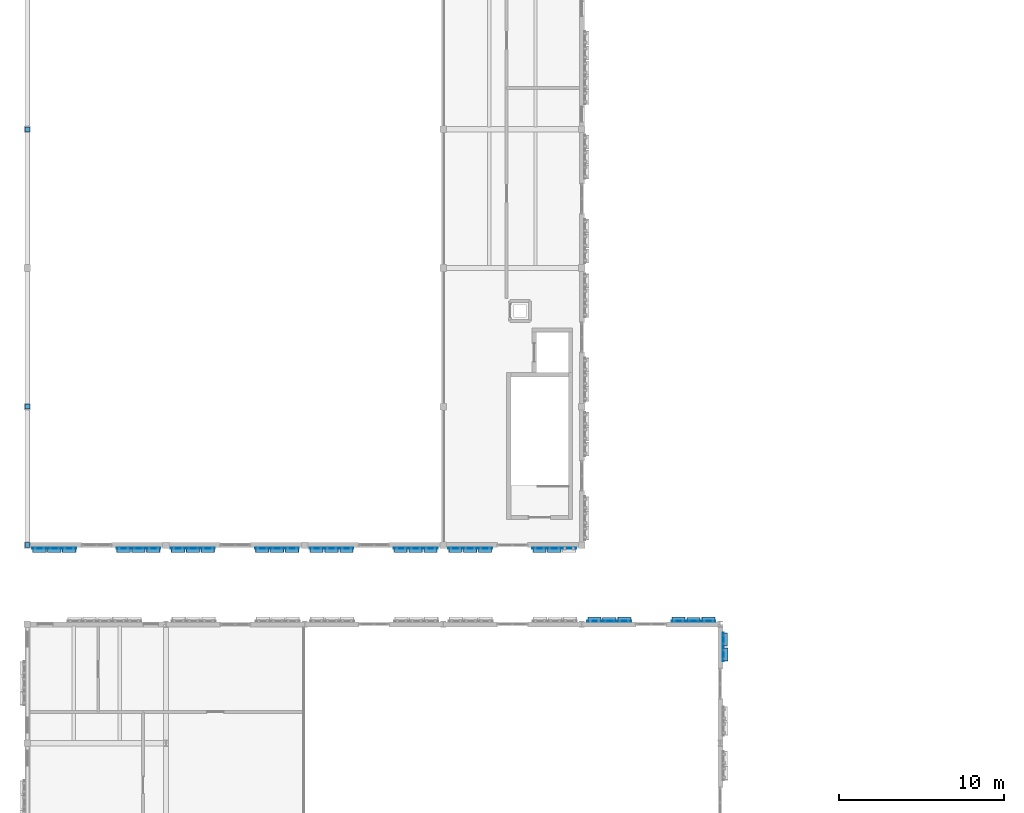
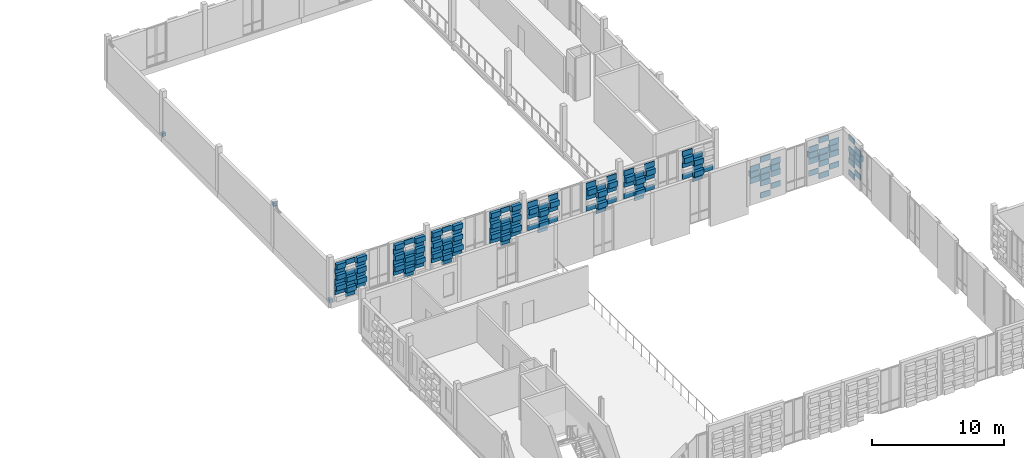
# One storey, part 45 of 81: 158 plates.
"""IFC4 building model written with IfcOpenShell, lengths in metres."""

from ifc_helpers import new_model, si_unit, direction, frame, origin, origin_2d, place, context, subcontext, project, spatial, rectangle, extrude, material, layer, layer_set, type_object, element, save


model = new_model("IFC4")

# Units and contexts
model_context = context("Model", 3, precision=1e-05, world=origin(), true_north=direction((0.0, 1.0)))
body_context = subcontext(model_context, "Body", "Model", "MODEL_VIEW")
ifc_project = project(units=[si_unit("LENGTHUNIT", "METRE"), si_unit("AREAUNIT", "SQUARE_METRE"), si_unit("VOLUMEUNIT", "CUBIC_METRE"), si_unit("PLANEANGLEUNIT", "RADIAN"), si_unit("MASSUNIT", "GRAM", prefix="KILO")], contexts=[model_context])

# Site, building, storey
site_placement = place(None, origin())
site = spatial("IfcSite", under=ifc_project, at=site_placement, CompositionType="ELEMENT")
building_placement = place(site_placement, origin())
building = spatial("IfcBuilding", under=site, at=building_placement, Name="Kahlenmark Community Centre", CompositionType="ELEMENT")
storey_placement = place(building_placement, frame((0.0, 0.0, 9.60009765625)))
storey = spatial("IfcBuildingStorey", under=building, at=storey_placement, Name="L02", CompositionType="ELEMENT", Elevation=9.60009765625)

# Plates
ifc_material_1 = material(Name="Extruded warm terracotta recessed weave tile", Category="masonry")
ifc_layer_1 = layer(ifc_material_1, 0.06005859375)
ifc_layer_set_1 = layer_set([ifc_layer_1], Name="Extruded warm terracotta recessed weave tile")
plate_type_1 = type_object("IfcPlateType", Name="PLT-TC-TC-R10-840X60X450", PredefinedType="SHEET", material=ifc_layer_set_1)
for number, where, z_axis, x_axis, name in (
    (1, (5.6298828125, 42.219970703125, 0.10009765625), (0.0, 0.0, 1.0), (1.0, 0.0, 0.0), "Basketweave terracotta cassette 2324"),
    (2, (5.6298828125, 42.219970703125, 1.080078125), (0.0, 0.0, 1.0), (1.0, 0.0, 0.0), "Basketweave terracotta cassette 2326"),
    (3, (5.6298828125, 42.219970703125, 2.06005859375), (0.0, 0.0, 1.0), (1.0, 0.0, 0.0), "Basketweave terracotta cassette 2328"),
    (4, (5.6298828125, 42.219970703125, 3.0400390625), (0.0, 0.0, 1.0), (1.0, 0.0, 0.0), "Basketweave terracotta cassette 2330"),
    (5, (10.72998046875, 42.219970703125, 0.10009765625), (0.0, 0.0, 1.0), (1.0, 0.0, 0.0), "Basketweave terracotta cassette 2345"),
    (6, (10.72998046875, 42.219970703125, 1.080078125), (0.0, 0.0, 1.0), (1.0, 0.0, 0.0), "Basketweave terracotta cassette 2347"),
    (7, (10.72998046875, 42.219970703125, 2.06005859375), (0.0, 0.0, 1.0), (1.0, 0.0, 0.0), "Basketweave terracotta cassette 2349"),
    (8, (10.72998046875, 42.219970703125, 3.0400390625), (0.0, 0.0, 1.0), (1.0, 0.0, 0.0), "Basketweave terracotta cassette 2351"),
    (9, (14.030029296875, 42.219970703125, 0.10009765625), (0.0, 0.0, 1.0), (1.0, 0.0, 0.0), "Basketweave terracotta cassette 2366"),
    (10, (14.030029296875, 42.219970703125, 1.080078125), (0.0, 0.0, 1.0), (1.0, 0.0, 0.0), "Basketweave terracotta cassette 2368"),
    (11, (14.030029296875, 42.219970703125, 2.06005859375), (0.0, 0.0, 1.0), (1.0, 0.0, 0.0), "Basketweave terracotta cassette 2370"),
    (12, (14.030029296875, 42.219970703125, 3.0400390625), (0.0, 0.0, 1.0), (1.0, 0.0, 0.0), "Basketweave terracotta cassette 2372"),
    (13, (19.1298828125, 42.219970703125, 0.10009765625), (0.0, 0.0, 1.0), (1.0, 0.0, 0.0), "Basketweave terracotta cassette 2387"),
    (14, (19.1298828125, 42.219970703125, 1.080078125), (0.0, 0.0, 1.0), (1.0, 0.0, 0.0), "Basketweave terracotta cassette 2389"),
    (15, (19.1298828125, 42.219970703125, 2.06005859375), (0.0, 0.0, 1.0), (1.0, 0.0, 0.0), "Basketweave terracotta cassette 2391"),
    (16, (19.1298828125, 42.219970703125, 3.0400390625), (0.0, 0.0, 1.0), (1.0, 0.0, 0.0), "Basketweave terracotta cassette 2393"),
):
    element("IfcPlate", number, at=place(storey_placement, frame(where, z_axis=z_axis, x_axis=x_axis)), inside=storey, type_object=plate_type_1, Name=name, PredefinedType="SHEET", context=body_context, shape_type="SweptSolid", body=[
        extrude(rectangle(XDim=0.840087890625, YDim=0.06005859375, at=origin_2d()), origin(), (0.0, 0.0, 1.0), 0.449951171875),
    ])
ifc_layer_2 = layer(ifc_material_1, 0.06005859375)
ifc_layer_set_2 = layer_set([ifc_layer_2], Name="Extruded warm terracotta recessed weave tile")
plate_type_2 = type_object("IfcPlateType", Name="PLT-TC-TC-R10-840X60X485", PredefinedType="SHEET", material=ifc_layer_set_2)
for number, where, z_axis, x_axis, name in (
    (17, (22.429931640625, 42.219970703125, 0.099609375), (0.0, 0.0, 1.0), (1.0, 0.0, 0.0), "Basketweave terracotta cassette 2407"),
    (18, (22.429931640625, 42.219970703125, 1.14990234375), (0.0, 0.0, 1.0), (1.0, 0.0, 0.0), "Basketweave terracotta cassette 2409"),
    (19, (22.429931640625, 42.219970703125, 2.19970703125), (0.0, 0.0, 1.0), (1.0, 0.0, 0.0), "Basketweave terracotta cassette 2411"),
    (20, (27.530029296875, 42.219970703125, 0.099609375), (0.0, 0.0, 1.0), (1.0, 0.0, 0.0), "Basketweave terracotta cassette 2425"),
    (21, (27.530029296875, 42.219970703125, 1.14990234375), (0.0, 0.0, 1.0), (1.0, 0.0, 0.0), "Basketweave terracotta cassette 2427"),
    (22, (27.530029296875, 42.219970703125, 2.19970703125), (0.0, 0.0, 1.0), (1.0, 0.0, 0.0), "Basketweave terracotta cassette 2429"),
    (23, (30.830078125, 42.219970703125, 0.099609375), (0.0, 0.0, 1.0), (1.0, 0.0, 0.0), "Basketweave terracotta cassette 2443"),
    (24, (30.830078125, 42.219970703125, 1.14990234375), (0.0, 0.0, 1.0), (1.0, 0.0, 0.0), "Basketweave terracotta cassette 2445"),
    (25, (30.830078125, 42.219970703125, 2.19970703125), (0.0, 0.0, 1.0), (1.0, 0.0, 0.0), "Basketweave terracotta cassette 2447"),
    (26, (35.929931640625, 42.219970703125, 0.099609375), (0.0, 0.0, 1.0), (1.0, 0.0, 0.0), "Basketweave terracotta cassette 2461"),
    (27, (35.929931640625, 42.219970703125, 1.14990234375), (0.0, 0.0, 1.0), (1.0, 0.0, 0.0), "Basketweave terracotta cassette 2463"),
    (28, (35.929931640625, 42.219970703125, 2.19970703125), (0.0, 0.0, 1.0), (1.0, 0.0, 0.0), "Basketweave terracotta cassette 2465"),
):
    element("IfcPlate", number, at=place(storey_placement, frame(where, z_axis=z_axis, x_axis=x_axis)), inside=storey, type_object=plate_type_2, Name=name, PredefinedType="SHEET", context=body_context, shape_type="SweptSolid", body=[
        extrude(rectangle(XDim=0.840087890625, YDim=0.06005859375, at=origin_2d()), origin(), (0.0, 0.0, 1.0), 0.485107421875),
    ])
ifc_layer_3 = layer(ifc_material_1, 0.06005859375)
ifc_layer_set_3 = layer_set([ifc_layer_3], Name="Extruded warm terracotta recessed weave tile")
plate_type_3 = type_object("IfcPlateType", Name="PLT-TC-TC-R10-840X60X506", PredefinedType="SHEET", material=ifc_layer_set_3)
for number, where, z_axis, x_axis, name in (
    (29, (44.3701171875, 37.780029296875, 0.099609375), (0.0, 0.0, 1.0), (-1.0, 0.0, 0.0), "Basketweave terracotta cassette 2134"),
    (30, (44.3701171875, 37.780029296875, 1.19189453125), (0.0, 0.0, 1.0), (-1.0, 0.0, 0.0), "Basketweave terracotta cassette 2136"),
    (31, (44.3701171875, 37.780029296875, 2.28369140625), (0.0, 0.0, 1.0), (-1.0, 0.0, 0.0), "Basketweave terracotta cassette 2138"),
    (32, (44.3701171875, 37.780029296875, 3.3759765625), (0.0, 0.0, 1.0), (-1.0, 0.0, 0.0), "Basketweave terracotta cassette 2140"),
    (33, (39.27001953125, 37.780029296875, 0.099609375), (0.0, 0.0, 1.0), (-1.0, 0.0, 0.0), "Basketweave terracotta cassette 2155"),
    (34, (39.27001953125, 37.780029296875, 1.19189453125), (0.0, 0.0, 1.0), (-1.0, 0.0, 0.0), "Basketweave terracotta cassette 2157"),
    (35, (39.27001953125, 37.780029296875, 2.28369140625), (0.0, 0.0, 1.0), (-1.0, 0.0, 0.0), "Basketweave terracotta cassette 2159"),
    (36, (39.27001953125, 37.780029296875, 3.3759765625), (0.0, 0.0, 1.0), (-1.0, 0.0, 0.0), "Basketweave terracotta cassette 2161"),
    (37, (46.179931640625, 36.679931640625, 0.099609375), (0.0, 0.0, 1.0), (0.0, 1.0, 0.0), "Basketweave terracotta cassette 2310"),
    (38, (46.179931640625, 36.679931640625, 1.19189453125), (0.0, 0.0, 1.0), (0.0, 1.0, 0.0), "Basketweave terracotta cassette 2312"),
    (39, (46.179931640625, 36.679931640625, 2.28369140625), (0.0, 0.0, 1.0), (0.0, 1.0, 0.0), "Basketweave terracotta cassette 2314"),
    (40, (46.179931640625, 36.679931640625, 3.3759765625), (0.0, 0.0, 1.0), (0.0, 1.0, 0.0), "Basketweave terracotta cassette 2316"),
):
    element("IfcPlate", number, at=place(storey_placement, frame(where, z_axis=z_axis, x_axis=x_axis)), inside=storey, type_object=plate_type_3, Name=name, PredefinedType="SHEET", context=body_context, shape_type="SweptSolid", body=[
        extrude(rectangle(XDim=0.840087890625, YDim=0.06005859375, at=origin_2d()), origin(), (0.0, 0.0, 1.0), 0.506103515625),
    ])
ifc_layer_4 = layer(ifc_material_1, 0.06005859375)
ifc_layer_set_4 = layer_set([ifc_layer_4], Name="Extruded warm terracotta recessed weave tile")
plate_type_4 = type_object("IfcPlateType", Name="PLT-TC-TC-R10-860X60X450", PredefinedType="SHEET", material=ifc_layer_set_4)
for number, where, z_axis, x_axis, name in (
    (41, (4.72998046875, 42.219970703125, 0.58984375), (0.0, 0.0, 1.0), (1.0, 0.0, 0.0), "Basketweave terracotta cassette 2318"),
    (42, (4.72998046875, 42.219970703125, 1.56982421875), (0.0, 0.0, 1.0), (1.0, 0.0, 0.0), "Basketweave terracotta cassette 2320"),
    (43, (4.72998046875, 42.219970703125, 2.5498046875), (0.0, 0.0, 1.0), (1.0, 0.0, 0.0), "Basketweave terracotta cassette 2322"),
    (44, (6.530029296875, 42.219970703125, 0.58984375), (0.0, 0.0, 1.0), (1.0, 0.0, 0.0), "Basketweave terracotta cassette 2332"),
    (45, (6.530029296875, 42.219970703125, 1.56982421875), (0.0, 0.0, 1.0), (1.0, 0.0, 0.0), "Basketweave terracotta cassette 2334"),
    (46, (6.530029296875, 42.219970703125, 2.5498046875), (0.0, 0.0, 1.0), (1.0, 0.0, 0.0), "Basketweave terracotta cassette 2336"),
    (47, (9.830078125, 42.219970703125, 0.58984375), (0.0, 0.0, 1.0), (1.0, 0.0, 0.0), "Basketweave terracotta cassette 2339"),
    (48, (9.830078125, 42.219970703125, 1.56982421875), (0.0, 0.0, 1.0), (1.0, 0.0, 0.0), "Basketweave terracotta cassette 2341"),
    (49, (9.830078125, 42.219970703125, 2.5498046875), (0.0, 0.0, 1.0), (1.0, 0.0, 0.0), "Basketweave terracotta cassette 2343"),
    (50, (11.6298828125, 42.219970703125, 0.58984375), (0.0, 0.0, 1.0), (1.0, 0.0, 0.0), "Basketweave terracotta cassette 2353"),
    (51, (11.6298828125, 42.219970703125, 1.56982421875), (0.0, 0.0, 1.0), (1.0, 0.0, 0.0), "Basketweave terracotta cassette 2355"),
    (52, (11.6298828125, 42.219970703125, 2.5498046875), (0.0, 0.0, 1.0), (1.0, 0.0, 0.0), "Basketweave terracotta cassette 2357"),
    (53, (13.1298828125, 42.219970703125, 0.58984375), (0.0, 0.0, 1.0), (1.0, 0.0, 0.0), "Basketweave terracotta cassette 2360"),
    (54, (13.1298828125, 42.219970703125, 1.56982421875), (0.0, 0.0, 1.0), (1.0, 0.0, 0.0), "Basketweave terracotta cassette 2362"),
    (55, (13.1298828125, 42.219970703125, 2.5498046875), (0.0, 0.0, 1.0), (1.0, 0.0, 0.0), "Basketweave terracotta cassette 2364"),
    (56, (14.929931640625, 42.219970703125, 0.58984375), (0.0, 0.0, 1.0), (1.0, 0.0, 0.0), "Basketweave terracotta cassette 2374"),
    (57, (14.929931640625, 42.219970703125, 1.56982421875), (0.0, 0.0, 1.0), (1.0, 0.0, 0.0), "Basketweave terracotta cassette 2376"),
    (58, (14.929931640625, 42.219970703125, 2.5498046875), (0.0, 0.0, 1.0), (1.0, 0.0, 0.0), "Basketweave terracotta cassette 2378"),
    (59, (18.22998046875, 42.219970703125, 0.58984375), (0.0, 0.0, 1.0), (1.0, 0.0, 0.0), "Basketweave terracotta cassette 2381"),
    (60, (18.22998046875, 42.219970703125, 1.56982421875), (0.0, 0.0, 1.0), (1.0, 0.0, 0.0), "Basketweave terracotta cassette 2383"),
    (61, (18.22998046875, 42.219970703125, 2.5498046875), (0.0, 0.0, 1.0), (1.0, 0.0, 0.0), "Basketweave terracotta cassette 2385"),
    (62, (20.030029296875, 42.219970703125, 0.58984375), (0.0, 0.0, 1.0), (1.0, 0.0, 0.0), "Basketweave terracotta cassette 2395"),
    (63, (20.030029296875, 42.219970703125, 1.56982421875), (0.0, 0.0, 1.0), (1.0, 0.0, 0.0), "Basketweave terracotta cassette 2397"),
    (64, (20.030029296875, 42.219970703125, 2.5498046875), (0.0, 0.0, 1.0), (1.0, 0.0, 0.0), "Basketweave terracotta cassette 2399"),
):
    element("IfcPlate", number, at=place(storey_placement, frame(where, z_axis=z_axis, x_axis=x_axis)), inside=storey, type_object=plate_type_4, Name=name, PredefinedType="SHEET", context=body_context, shape_type="SweptSolid", body=[
        extrude(rectangle(XDim=0.860107421875, YDim=0.06005859375, at=origin_2d()), origin(), (0.0, 0.0, 1.0), 0.449951171875),
    ])
ifc_layer_5 = layer(ifc_material_1, 0.06005859375)
ifc_layer_set_5 = layer_set([ifc_layer_5], Name="Extruded warm terracotta recessed weave tile")
plate_type_5 = type_object("IfcPlateType", Name="PLT-TC-TC-R10-860X60X485", PredefinedType="SHEET", material=ifc_layer_set_5)
for number, where, z_axis, x_axis, name in (
    (65, (21.530029296875, 42.219970703125, 0.625), (0.0, 0.0, 1.0), (1.0, 0.0, 0.0), "Basketweave terracotta cassette 2402"),
    (66, (21.530029296875, 42.219970703125, 1.6748046875), (0.0, 0.0, 1.0), (1.0, 0.0, 0.0), "Basketweave terracotta cassette 2404"),
    (67, (21.530029296875, 42.219970703125, 2.724609375), (0.0, 0.0, 1.0), (1.0, 0.0, 0.0), "Basketweave terracotta cassette 2406"),
    (68, (23.330078125, 42.219970703125, 0.625), (0.0, 0.0, 1.0), (1.0, 0.0, 0.0), "Basketweave terracotta cassette 2414"),
    (69, (23.330078125, 42.219970703125, 1.6748046875), (0.0, 0.0, 1.0), (1.0, 0.0, 0.0), "Basketweave terracotta cassette 2416"),
    (70, (23.330078125, 42.219970703125, 2.724609375), (0.0, 0.0, 1.0), (1.0, 0.0, 0.0), "Basketweave terracotta cassette 2418"),
    (71, (26.6298828125, 42.219970703125, 0.625), (0.0, 0.0, 1.0), (1.0, 0.0, 0.0), "Basketweave terracotta cassette 2420"),
    (72, (26.6298828125, 42.219970703125, 1.6748046875), (0.0, 0.0, 1.0), (1.0, 0.0, 0.0), "Basketweave terracotta cassette 2422"),
    (73, (26.6298828125, 42.219970703125, 2.724609375), (0.0, 0.0, 1.0), (1.0, 0.0, 0.0), "Basketweave terracotta cassette 2424"),
    (74, (28.429931640625, 42.219970703125, 0.625), (0.0, 0.0, 1.0), (1.0, 0.0, 0.0), "Basketweave terracotta cassette 2432"),
    (75, (28.429931640625, 42.219970703125, 1.6748046875), (0.0, 0.0, 1.0), (1.0, 0.0, 0.0), "Basketweave terracotta cassette 2434"),
    (76, (28.429931640625, 42.219970703125, 2.724609375), (0.0, 0.0, 1.0), (1.0, 0.0, 0.0), "Basketweave terracotta cassette 2436"),
    (77, (29.929931640625, 42.219970703125, 0.625), (0.0, 0.0, 1.0), (1.0, 0.0, 0.0), "Basketweave terracotta cassette 2438"),
    (78, (29.929931640625, 42.219970703125, 1.6748046875), (0.0, 0.0, 1.0), (1.0, 0.0, 0.0), "Basketweave terracotta cassette 2440"),
    (79, (29.929931640625, 42.219970703125, 2.724609375), (0.0, 0.0, 1.0), (1.0, 0.0, 0.0), "Basketweave terracotta cassette 2442"),
    (80, (31.72998046875, 42.219970703125, 0.625), (0.0, 0.0, 1.0), (1.0, 0.0, 0.0), "Basketweave terracotta cassette 2450"),
    (81, (31.72998046875, 42.219970703125, 1.6748046875), (0.0, 0.0, 1.0), (1.0, 0.0, 0.0), "Basketweave terracotta cassette 2452"),
    (82, (31.72998046875, 42.219970703125, 2.724609375), (0.0, 0.0, 1.0), (1.0, 0.0, 0.0), "Basketweave terracotta cassette 2454"),
    (83, (35.030029296875, 42.219970703125, 0.625), (0.0, 0.0, 1.0), (1.0, 0.0, 0.0), "Basketweave terracotta cassette 2456"),
    (84, (35.030029296875, 42.219970703125, 1.6748046875), (0.0, 0.0, 1.0), (1.0, 0.0, 0.0), "Basketweave terracotta cassette 2458"),
    (85, (35.030029296875, 42.219970703125, 2.724609375), (0.0, 0.0, 1.0), (1.0, 0.0, 0.0), "Basketweave terracotta cassette 2460"),
    (86, (36.830078125, 42.219970703125, 0.625), (0.0, 0.0, 1.0), (1.0, 0.0, 0.0), "Basketweave terracotta cassette 2468"),
):
    element("IfcPlate", number, at=place(storey_placement, frame(where, z_axis=z_axis, x_axis=x_axis)), inside=storey, type_object=plate_type_5, Name=name, PredefinedType="SHEET", context=body_context, shape_type="SweptSolid", body=[
        extrude(rectangle(XDim=0.860107421875, YDim=0.06005859375, at=origin_2d()), origin(), (0.0, 0.0, 1.0), 0.485107421875),
    ])
ifc_layer_6 = layer(ifc_material_1, 0.06005859375)
ifc_layer_set_6 = layer_set([ifc_layer_6], Name="Extruded warm terracotta recessed weave tile")
plate_type_6 = type_object("IfcPlateType", Name="PLT-TC-TC-R10-860X60X506", PredefinedType="SHEET", material=ifc_layer_set_6)
for number, where, z_axis, x_axis, name in (
    (87, (45.27001953125, 37.780029296875, 0.64599609375), (0.0, 0.0, 1.0), (-1.0, 0.0, 0.0), "Basketweave terracotta cassette 2128"),
    (88, (45.27001953125, 37.780029296875, 1.73779296875), (0.0, 0.0, 1.0), (-1.0, 0.0, 0.0), "Basketweave terracotta cassette 2130"),
    (89, (45.27001953125, 37.780029296875, 2.830078125), (0.0, 0.0, 1.0), (-1.0, 0.0, 0.0), "Basketweave terracotta cassette 2132"),
    (90, (43.469970703125, 37.780029296875, 0.64599609375), (0.0, 0.0, 1.0), (-1.0, 0.0, 0.0), "Basketweave terracotta cassette 2142"),
    (91, (43.469970703125, 37.780029296875, 1.73779296875), (0.0, 0.0, 1.0), (-1.0, 0.0, 0.0), "Basketweave terracotta cassette 2144"),
    (92, (43.469970703125, 37.780029296875, 2.830078125), (0.0, 0.0, 1.0), (-1.0, 0.0, 0.0), "Basketweave terracotta cassette 2146"),
    (93, (40.169921875, 37.780029296875, 0.64599609375), (0.0, 0.0, 1.0), (-1.0, 0.0, 0.0), "Basketweave terracotta cassette 2149"),
    (94, (40.169921875, 37.780029296875, 1.73779296875), (0.0, 0.0, 1.0), (-1.0, 0.0, 0.0), "Basketweave terracotta cassette 2151"),
    (95, (40.169921875, 37.780029296875, 2.830078125), (0.0, 0.0, 1.0), (-1.0, 0.0, 0.0), "Basketweave terracotta cassette 2153"),
    (96, (38.3701171875, 37.780029296875, 1.73779296875), (0.0, 0.0, 1.0), (-1.0, 0.0, 0.0), "Basketweave terracotta cassette 2165"),
    (97, (38.3701171875, 37.780029296875, 2.830078125), (0.0, 0.0, 1.0), (-1.0, 0.0, 0.0), "Basketweave terracotta cassette 2167"),
    (98, (46.179931640625, 35.780029296875, 0.64599609375), (0.0, 0.0, 1.0), (0.0, 1.0, 0.0), "Basketweave terracotta cassette 2304"),
    (99, (46.179931640625, 35.780029296875, 1.73779296875), (0.0, 0.0, 1.0), (0.0, 1.0, 0.0), "Basketweave terracotta cassette 2306"),
    (100, (46.179931640625, 35.780029296875, 2.830078125), (0.0, 0.0, 1.0), (0.0, 1.0, 0.0), "Basketweave terracotta cassette 2308"),
):
    element("IfcPlate", number, at=place(storey_placement, frame(where, z_axis=z_axis, x_axis=x_axis)), inside=storey, type_object=plate_type_6, Name=name, PredefinedType="SHEET", context=body_context, shape_type="SweptSolid", body=[
        extrude(rectangle(XDim=0.860107421875, YDim=0.06005859375, at=origin_2d()), origin(), (0.0, 0.0, 1.0), 0.506103515625),
    ])
ifc_material_2 = material(Name="Extruded glazed terracotta weave cassette", Category="masonry")
ifc_layer_7 = layer(ifc_material_2, 0.300048828125)
ifc_layer_set_7 = layer_set([ifc_layer_7], Name="Extruded glazed terracotta weave cassette")
plate_type_7 = type_object("IfcPlateType", Name="PLT-TC-TC-R34-780X300X450", PredefinedType="SHEET", material=ifc_layer_set_7)
for number, where, z_axis, x_axis, name in (
    (101, (4.72998046875, 42.10009765625, 2.06005859375), (0.0, 0.0, 1.0), (1.0, 0.0, 0.0), "Basketweave terracotta cassette 2321"),
    (102, (6.530029296875, 42.10009765625, 2.06005859375), (0.0, 0.0, 1.0), (1.0, 0.0, 0.0), "Basketweave terracotta cassette 2335"),
    (103, (9.830078125, 42.10009765625, 2.06005859375), (0.0, 0.0, 1.0), (1.0, 0.0, 0.0), "Basketweave terracotta cassette 2342"),
    (104, (11.6298828125, 42.10009765625, 2.06005859375), (0.0, 0.0, 1.0), (1.0, 0.0, 0.0), "Basketweave terracotta cassette 2356"),
    (105, (13.1298828125, 42.10009765625, 2.06005859375), (0.0, 0.0, 1.0), (1.0, 0.0, 0.0), "Basketweave terracotta cassette 2363"),
    (106, (14.929931640625, 42.10009765625, 2.06005859375), (0.0, 0.0, 1.0), (1.0, 0.0, 0.0), "Basketweave terracotta cassette 2377"),
    (107, (18.22998046875, 42.10009765625, 2.06005859375), (0.0, 0.0, 1.0), (1.0, 0.0, 0.0), "Basketweave terracotta cassette 2384"),
    (108, (20.030029296875, 42.10009765625, 2.06005859375), (0.0, 0.0, 1.0), (1.0, 0.0, 0.0), "Basketweave terracotta cassette 2398"),
):
    element("IfcPlate", number, at=place(storey_placement, frame(where, z_axis=z_axis, x_axis=x_axis)), inside=storey, type_object=plate_type_7, Name=name, PredefinedType="SHEET", context=body_context, shape_type="SweptSolid", body=[
        extrude(rectangle(XDim=0.780029296875, YDim=0.300048828125, at=origin_2d()), origin(), (0.0, 0.0, 1.0), 0.449951171875),
    ])
ifc_layer_8 = layer(ifc_material_2, 0.300048828125)
ifc_layer_set_8 = layer_set([ifc_layer_8], Name="Extruded glazed terracotta weave cassette")
plate_type_8 = type_object("IfcPlateType", Name="PLT-TC-TC-R34-780X300X485", PredefinedType="SHEET", material=ifc_layer_set_8)
for number, where, z_axis, x_axis, name in (
    (109, (21.530029296875, 42.10009765625, 2.19970703125), (0.0, 0.0, 1.0), (1.0, 0.0, 0.0), "Basketweave terracotta cassette 2405"),
    (110, (23.330078125, 42.10009765625, 2.19970703125), (0.0, 0.0, 1.0), (1.0, 0.0, 0.0), "Basketweave terracotta cassette 2417"),
    (111, (26.6298828125, 42.10009765625, 2.19970703125), (0.0, 0.0, 1.0), (1.0, 0.0, 0.0), "Basketweave terracotta cassette 2423"),
    (112, (28.429931640625, 42.10009765625, 2.19970703125), (0.0, 0.0, 1.0), (1.0, 0.0, 0.0), "Basketweave terracotta cassette 2435"),
    (113, (29.929931640625, 42.10009765625, 2.19970703125), (0.0, 0.0, 1.0), (1.0, 0.0, 0.0), "Basketweave terracotta cassette 2441"),
    (114, (31.72998046875, 42.10009765625, 2.19970703125), (0.0, 0.0, 1.0), (1.0, 0.0, 0.0), "Basketweave terracotta cassette 2453"),
    (115, (35.030029296875, 42.10009765625, 2.19970703125), (0.0, 0.0, 1.0), (1.0, 0.0, 0.0), "Basketweave terracotta cassette 2459"),
):
    element("IfcPlate", number, at=place(storey_placement, frame(where, z_axis=z_axis, x_axis=x_axis)), inside=storey, type_object=plate_type_8, Name=name, PredefinedType="SHEET", context=body_context, shape_type="SweptSolid", body=[
        extrude(rectangle(XDim=0.780029296875, YDim=0.300048828125, at=origin_2d()), origin(), (0.0, 0.0, 1.0), 0.485107421875),
    ])
ifc_layer_9 = layer(ifc_material_2, 0.300048828125)
ifc_layer_set_9 = layer_set([ifc_layer_9], Name="Extruded glazed terracotta weave cassette")
plate_type_9 = type_object("IfcPlateType", Name="PLT-TC-TC-R34-780X300X506", PredefinedType="SHEET", material=ifc_layer_set_9)
for number, where, z_axis, x_axis, name in (
    (116, (45.27001953125, 37.89990234375, 2.28369140625), (0.0, 0.0, 1.0), (-1.0, 0.0, 0.0), "Basketweave terracotta cassette 2131"),
    (117, (43.469970703125, 37.89990234375, 2.28369140625), (0.0, 0.0, 1.0), (-1.0, 0.0, 0.0), "Basketweave terracotta cassette 2145"),
    (118, (40.169921875, 37.89990234375, 2.28369140625), (0.0, 0.0, 1.0), (-1.0, 0.0, 0.0), "Basketweave terracotta cassette 2152"),
    (119, (38.3701171875, 37.89990234375, 2.28369140625), (0.0, 0.0, 1.0), (-1.0, 0.0, 0.0), "Basketweave terracotta cassette 2166"),
    (120, (46.300048828125, 35.780029296875, 2.28369140625), (0.0, 0.0, 1.0), (0.0, 1.0, 0.0), "Basketweave terracotta cassette 2307"),
):
    element("IfcPlate", number, at=place(storey_placement, frame(where, z_axis=z_axis, x_axis=x_axis)), inside=storey, type_object=plate_type_9, Name=name, PredefinedType="SHEET", context=body_context, shape_type="SweptSolid", body=[
        extrude(rectangle(XDim=0.780029296875, YDim=0.300048828125, at=origin_2d()), origin(), (0.0, 0.0, 1.0), 0.506103515625),
    ])
ifc_layer_10 = layer(ifc_material_2, 0.300048828125)
ifc_layer_set_10 = layer_set([ifc_layer_10], Name="Extruded glazed terracotta weave cassette")
plate_type_10 = type_object("IfcPlateType", Name="PLT-TC-TC-R34-820X300X450", PredefinedType="SHEET", material=ifc_layer_set_10)
for number, where, z_axis, x_axis, name in (
    (121, (4.72998046875, 42.10009765625, 3.0400390625), (0.0, 0.0, 1.0), (1.0, 0.0, 0.0), "Basketweave terracotta cassette 2323"),
    (122, (6.530029296875, 42.10009765625, 3.0400390625), (0.0, 0.0, 1.0), (1.0, 0.0, 0.0), "Basketweave terracotta cassette 2337"),
    (123, (9.830078125, 42.10009765625, 3.0400390625), (0.0, 0.0, 1.0), (1.0, 0.0, 0.0), "Basketweave terracotta cassette 2344"),
    (124, (11.6298828125, 42.10009765625, 3.0400390625), (0.0, 0.0, 1.0), (1.0, 0.0, 0.0), "Basketweave terracotta cassette 2358"),
    (125, (13.1298828125, 42.10009765625, 3.0400390625), (0.0, 0.0, 1.0), (1.0, 0.0, 0.0), "Basketweave terracotta cassette 2365"),
    (126, (14.929931640625, 42.10009765625, 3.0400390625), (0.0, 0.0, 1.0), (1.0, 0.0, 0.0), "Basketweave terracotta cassette 2379"),
    (127, (18.22998046875, 42.10009765625, 3.0400390625), (0.0, 0.0, 1.0), (1.0, 0.0, 0.0), "Basketweave terracotta cassette 2386"),
    (128, (20.030029296875, 42.10009765625, 3.0400390625), (0.0, 0.0, 1.0), (1.0, 0.0, 0.0), "Basketweave terracotta cassette 2400"),
):
    element("IfcPlate", number, at=place(storey_placement, frame(where, z_axis=z_axis, x_axis=x_axis)), inside=storey, type_object=plate_type_10, Name=name, PredefinedType="SHEET", context=body_context, shape_type="SweptSolid", body=[
        extrude(rectangle(XDim=0.820068359375, YDim=0.300048828125, at=origin_2d()), origin(), (0.0, 0.0, 1.0), 0.449951171875),
    ])
ifc_layer_11 = layer(ifc_material_2, 0.300048828125)
ifc_layer_set_11 = layer_set([ifc_layer_11], Name="Extruded glazed terracotta weave cassette")
plate_type_11 = type_object("IfcPlateType", Name="PLT-TC-TC-R34-840X300X450", PredefinedType="SHEET", material=ifc_layer_set_11)
for number, where, z_axis, x_axis, name in (
    (129, (4.72998046875, 42.10009765625, 1.080078125), (0.0, 0.0, 1.0), (1.0, 0.0, 0.0), "Basketweave terracotta cassette 2319"),
    (130, (6.530029296875, 42.10009765625, 1.080078125), (0.0, 0.0, 1.0), (1.0, 0.0, 0.0), "Basketweave terracotta cassette 2333"),
    (131, (9.830078125, 42.10009765625, 1.080078125), (0.0, 0.0, 1.0), (1.0, 0.0, 0.0), "Basketweave terracotta cassette 2340"),
    (132, (11.6298828125, 42.10009765625, 1.080078125), (0.0, 0.0, 1.0), (1.0, 0.0, 0.0), "Basketweave terracotta cassette 2354"),
    (133, (13.1298828125, 42.10009765625, 1.080078125), (0.0, 0.0, 1.0), (1.0, 0.0, 0.0), "Basketweave terracotta cassette 2361"),
    (134, (14.929931640625, 42.10009765625, 1.080078125), (0.0, 0.0, 1.0), (1.0, 0.0, 0.0), "Basketweave terracotta cassette 2375"),
    (135, (18.22998046875, 42.10009765625, 1.080078125), (0.0, 0.0, 1.0), (1.0, 0.0, 0.0), "Basketweave terracotta cassette 2382"),
    (136, (20.030029296875, 42.10009765625, 1.080078125), (0.0, 0.0, 1.0), (1.0, 0.0, 0.0), "Basketweave terracotta cassette 2396"),
):
    element("IfcPlate", number, at=place(storey_placement, frame(where, z_axis=z_axis, x_axis=x_axis)), inside=storey, type_object=plate_type_11, Name=name, PredefinedType="SHEET", context=body_context, shape_type="SweptSolid", body=[
        extrude(rectangle(XDim=0.840087890625, YDim=0.300048828125, at=origin_2d()), origin(), (0.0, 0.0, 1.0), 0.449951171875),
    ])
ifc_layer_12 = layer(ifc_material_2, 0.280029296875)
ifc_layer_set_12 = layer_set([ifc_layer_12], Name="Extruded glazed terracotta weave cassette")
plate_type_12 = type_object("IfcPlateType", Name="PLT-TC-TC-W30-800X280X450", PredefinedType="SHEET", material=ifc_layer_set_12)
for number, where, z_axis, x_axis, name in (
    (137, (5.6298828125, 42.110107421875, 1.56982421875), (0.0, 0.0, 1.0), (1.0, 0.0, 0.0), "Basketweave terracotta cassette 2327"),
    (138, (10.72998046875, 42.110107421875, 1.56982421875), (0.0, 0.0, 1.0), (1.0, 0.0, 0.0), "Basketweave terracotta cassette 2348"),
    (139, (14.030029296875, 42.110107421875, 1.56982421875), (0.0, 0.0, 1.0), (1.0, 0.0, 0.0), "Basketweave terracotta cassette 2369"),
    (140, (19.1298828125, 42.110107421875, 1.56982421875), (0.0, 0.0, 1.0), (1.0, 0.0, 0.0), "Basketweave terracotta cassette 2390"),
):
    element("IfcPlate", number, at=place(storey_placement, frame(where, z_axis=z_axis, x_axis=x_axis)), inside=storey, type_object=plate_type_12, Name=name, PredefinedType="SHEET", context=body_context, shape_type="SweptSolid", body=[
        extrude(rectangle(XDim=0.800048828125, YDim=0.280029296875, at=origin_2d()), origin(), (0.0, 0.0, 1.0), 0.449951171875),
    ])
ifc_layer_13 = layer(ifc_material_2, 0.280029296875)
ifc_layer_set_13 = layer_set([ifc_layer_13], Name="Extruded glazed terracotta weave cassette")
plate_type_13 = type_object("IfcPlateType", Name="PLT-TC-TC-W30-800X280X485", PredefinedType="SHEET", material=ifc_layer_set_13)
for number, where, z_axis, x_axis, name in (
    (141, (22.429931640625, 42.110107421875, 1.6748046875), (0.0, 0.0, 1.0), (1.0, 0.0, 0.0), "Basketweave terracotta cassette 2410"),
    (142, (27.530029296875, 42.110107421875, 1.6748046875), (0.0, 0.0, 1.0), (1.0, 0.0, 0.0), "Basketweave terracotta cassette 2428"),
    (143, (30.830078125, 42.110107421875, 1.6748046875), (0.0, 0.0, 1.0), (1.0, 0.0, 0.0), "Basketweave terracotta cassette 2446"),
    (144, (35.929931640625, 42.110107421875, 1.6748046875), (0.0, 0.0, 1.0), (1.0, 0.0, 0.0), "Basketweave terracotta cassette 2464"),
):
    element("IfcPlate", number, at=place(storey_placement, frame(where, z_axis=z_axis, x_axis=x_axis)), inside=storey, type_object=plate_type_13, Name=name, PredefinedType="SHEET", context=body_context, shape_type="SweptSolid", body=[
        extrude(rectangle(XDim=0.800048828125, YDim=0.280029296875, at=origin_2d()), origin(), (0.0, 0.0, 1.0), 0.485107421875),
    ])
ifc_layer_14 = layer(ifc_material_2, 0.280029296875)
ifc_layer_set_14 = layer_set([ifc_layer_14], Name="Extruded glazed terracotta weave cassette")
plate_type_14 = type_object("IfcPlateType", Name="PLT-TC-TC-W30-800X280X506", PredefinedType="SHEET", material=ifc_layer_set_14)
for number, where, z_axis, x_axis, name in (
    (145, (44.3701171875, 37.889892578125, 1.73779296875), (0.0, 0.0, 1.0), (-1.0, 0.0, 0.0), "Basketweave terracotta cassette 2137"),
    (146, (39.27001953125, 37.889892578125, 1.73779296875), (0.0, 0.0, 1.0), (-1.0, 0.0, 0.0), "Basketweave terracotta cassette 2158"),
    (147, (46.2900390625, 36.679931640625, 1.73779296875), (0.0, 0.0, 1.0), (0.0, 1.0, 0.0), "Basketweave terracotta cassette 2313"),
):
    element("IfcPlate", number, at=place(storey_placement, frame(where, z_axis=z_axis, x_axis=x_axis)), inside=storey, type_object=plate_type_14, Name=name, PredefinedType="SHEET", context=body_context, shape_type="SweptSolid", body=[
        extrude(rectangle(XDim=0.800048828125, YDim=0.280029296875, at=origin_2d()), origin(), (0.0, 0.0, 1.0), 0.506103515625),
    ])
ifc_layer_15 = layer(ifc_material_2, 0.280029296875)
ifc_layer_set_15 = layer_set([ifc_layer_15], Name="Extruded glazed terracotta weave cassette")
plate_type_15 = type_object("IfcPlateType", Name="PLT-TC-TC-W30-820X280X450", PredefinedType="SHEET", material=ifc_layer_set_15)
for number, where, z_axis, x_axis, name in (
    (148, (5.6298828125, 42.110107421875, 0.58984375), (0.0, 0.0, 1.0), (1.0, 0.0, 0.0), "Basketweave terracotta cassette 2325"),
    (149, (10.72998046875, 42.110107421875, 0.58984375), (0.0, 0.0, 1.0), (1.0, 0.0, 0.0), "Basketweave terracotta cassette 2346"),
    (150, (14.030029296875, 42.110107421875, 0.58984375), (0.0, 0.0, 1.0), (1.0, 0.0, 0.0), "Basketweave terracotta cassette 2367"),
    (151, (19.1298828125, 42.110107421875, 0.58984375), (0.0, 0.0, 1.0), (1.0, 0.0, 0.0), "Basketweave terracotta cassette 2388"),
):
    element("IfcPlate", number, at=place(storey_placement, frame(where, z_axis=z_axis, x_axis=x_axis)), inside=storey, type_object=plate_type_15, Name=name, PredefinedType="SHEET", context=body_context, shape_type="SweptSolid", body=[
        extrude(rectangle(XDim=0.820068359375, YDim=0.280029296875, at=origin_2d()), origin(), (0.0, 0.0, 1.0), 0.449951171875),
    ])
ifc_layer_16 = layer(ifc_material_2, 0.280029296875)
ifc_layer_set_16 = layer_set([ifc_layer_16], Name="Extruded glazed terracotta weave cassette")
plate_type_16 = type_object("IfcPlateType", Name="PLT-TC-TC-W30-820X280X485", PredefinedType="SHEET", material=ifc_layer_set_16)
for number, where, z_axis, x_axis, name in (
    (152, (22.429931640625, 42.110107421875, 0.625), (0.0, 0.0, 1.0), (1.0, 0.0, 0.0), "Basketweave terracotta cassette 2408"),
    (153, (27.530029296875, 42.110107421875, 0.625), (0.0, 0.0, 1.0), (1.0, 0.0, 0.0), "Basketweave terracotta cassette 2426"),
    (154, (30.830078125, 42.110107421875, 0.625), (0.0, 0.0, 1.0), (1.0, 0.0, 0.0), "Basketweave terracotta cassette 2444"),
    (155, (35.929931640625, 42.110107421875, 0.625), (0.0, 0.0, 1.0), (1.0, 0.0, 0.0), "Basketweave terracotta cassette 2462"),
):
    element("IfcPlate", number, at=place(storey_placement, frame(where, z_axis=z_axis, x_axis=x_axis)), inside=storey, type_object=plate_type_16, Name=name, PredefinedType="SHEET", context=body_context, shape_type="SweptSolid", body=[
        extrude(rectangle(XDim=0.820068359375, YDim=0.280029296875, at=origin_2d()), origin(), (0.0, 0.0, 1.0), 0.485107421875),
    ])
ifc_material_3 = material(Name="Steel S355", Category="steel")
ifc_layer_17 = layer(ifc_material_3, 0.02392578125)
ifc_layer_set_17 = layer_set([ifc_layer_17], Name="Steel S355")
plate_type_17 = type_object("IfcPlateType", Name="PT-NODE-BN-01-30X30X28", PredefinedType="USERDEFINED", material=ifc_layer_set_17)
for number, where, z_axis, x_axis, name in (
    (156, (4.0, 42.39990234375, 0.009765625), (0.0, 0.0, 1.0), (1.0, 0.0, 0.0), "Steel hollow-node cap plate 0341"),
    (157, (4.0, 50.800048828125, 3.759765625), (0.0, 0.0, 1.0), (1.0, 0.0, 0.0), "Steel hollow-node cap plate 0342"),
    (158, (4.0, 67.60009765625, 0.009765625), (0.0, 0.0, 1.0), (1.0, 0.0, 0.0), "Steel hollow-node cap plate 0343"),
):
    element("IfcPlate", number, at=place(storey_placement, frame(where, z_axis=z_axis, x_axis=x_axis)), inside=storey, type_object=plate_type_17, Name=name, ObjectType="STIFFENER_PLATE", PredefinedType="USERDEFINED", context=body_context, shape_type="SweptSolid", body=[
        extrude(rectangle(XDim=0.300048828125, YDim=0.300048828125, at=origin_2d()), origin(), (0.0, 0.0, 1.0), 0.280029296875),
    ])

save(model, "model.ifc")
